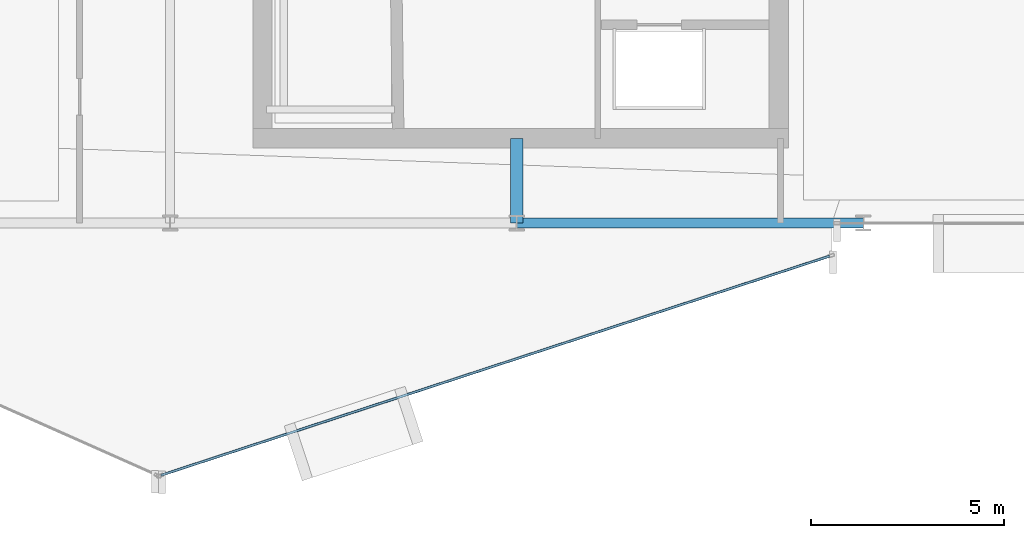
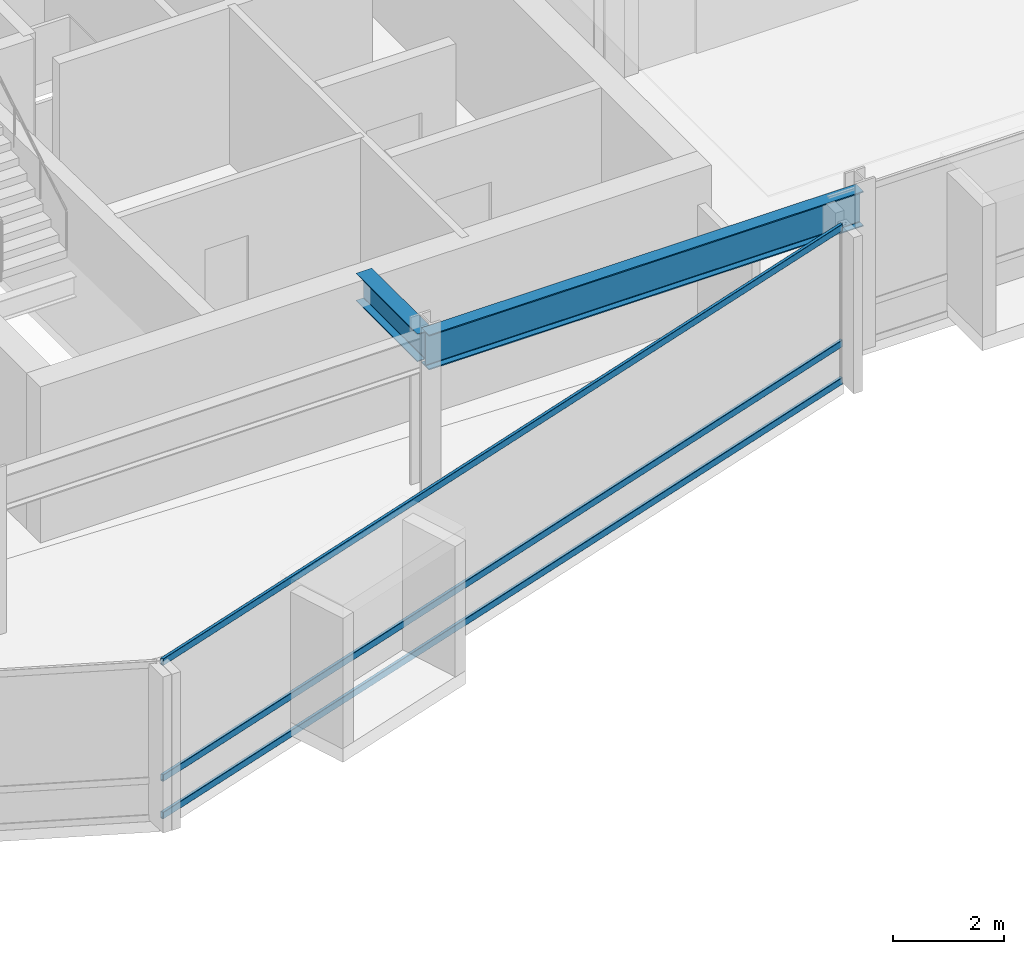
# One storey, part 9 of 27: 3 members, 2 beams, 1 element without a shape of its own.
"""IFC4 building model written with IfcOpenShell, lengths in metres."""

from ifc_helpers import new_model, si_unit, direction, frame, origin, origin_2d, place, context, subcontext, project, spatial, hollow_rectangle, i_section, extrude, material, layer, layer_set, material_profile, profile_set, type_object, element, aggregate, save


model = new_model("IFC4")

# Units and contexts
model_context = context("Model", 3, precision=1e-05, world=origin(), true_north=direction((0.0, 1.0)))
body_context = subcontext(model_context, "Body", "Model", "MODEL_VIEW")
ifc_project = project(units=[si_unit("LENGTHUNIT", "METRE"), si_unit("AREAUNIT", "SQUARE_METRE"), si_unit("VOLUMEUNIT", "CUBIC_METRE"), si_unit("PLANEANGLEUNIT", "RADIAN"), si_unit("MASSUNIT", "GRAM", prefix="KILO")], contexts=[model_context])

# Site, building, storey
site_placement = place(None, origin())
site = spatial("IfcSite", under=ifc_project, at=site_placement, CompositionType="ELEMENT")
building_placement = place(site_placement, origin())
building = spatial("IfcBuilding", under=site, at=building_placement, Name="Solvaryn Broadcast Tower", CompositionType="ELEMENT")
storey_placement = place(building_placement, frame((0.0, 0.0, 177.89990234375)))
storey = spatial("IfcBuildingStorey", under=building, at=storey_placement, Name="L44", CompositionType="ELEMENT", Elevation=177.89990234375)

# Beams
ifc_material_1 = material(Name="Steel ASTM A992 Grade 50", Category="steel")
ifc_material_profile_1 = material_profile(ifc_material_1, i_section(OverallWidth=0.323974609375, OverallDepth=0.611083984375, WebThickness=0.0126953125, FlangeThickness=0.01904296875, FilletRadius=0.014892578125, at=origin_2d()))
ifc_profile_set_1 = profile_set([ifc_material_profile_1], Name="Steel ASTM A992 Grade 50")
beam_type_1 = type_object("IfcBeamType", Name="BM-B1-W24X104", PredefinedType="BEAM", material=ifc_profile_set_1)
beam_1_placement = place(storey_placement, frame((36.0, 9.0, 3.114501953125), z_axis=(0.0, 1.0, 0.0), x_axis=(-1.0, 0.0, 0.0)))
element("IfcBeam", 1, at=beam_1_placement, inside=storey, type_object=beam_type_1, Name="L44 Core Tie Beam CTE1", PredefinedType="BEAM", context=body_context, shape_type="SweptSolid", body=[
    extrude(i_section(OverallWidth=0.323974609375, OverallDepth=0.611083984375, WebThickness=0.0126953125, FlangeThickness=0.01904296875, FilletRadius=0.014892578125, at=origin_2d()), origin(), (0.0, 0.0, 1.0), 2.199951171875),
])
ifc_material_2 = material(Name="Steel ASTM A992 Grade 50", Category="steel")
ifc_material_profile_2 = material_profile(ifc_material_2, i_section(OverallWidth=0.26708984375, OverallDepth=0.76611328125, WebThickness=0.014892578125, FlangeThickness=0.023681640625, FilletRadius=0.01806640625, at=origin_2d()))
ifc_profile_set_2 = profile_set([ifc_material_profile_2], Name="Steel ASTM A992 Grade 50")
beam_type_2 = type_object("IfcBeamType", Name="BM-SP2-W30X124", PredefinedType="USERDEFINED", material=ifc_profile_set_2)
beam_2_placement = place(storey_placement, frame((36.0, 9.0, 3.037109375), z_axis=(1.0, 0.0, 0.0), x_axis=(0.0, 1.0, 0.0)))
element("IfcBeam", 2, at=beam_2_placement, inside=storey, type_object=beam_type_2, Name="L44 Spandrel Beam X (36-45 @ Y=9)", ObjectType="SPANDREL", PredefinedType="USERDEFINED", context=body_context, shape_type="SweptSolid", body=[
    extrude(i_section(OverallWidth=0.26708984375, OverallDepth=0.76611328125, WebThickness=0.014892578125, FlangeThickness=0.023681640625, FilletRadius=0.01806640625, at=origin_2d()), origin(), (0.0, 0.0, 1.0), 9.0),
])

# Curtain wall, members
ifc_material_3 = material(Name="Aluminium and Terracotta Unitised Curtain Wall", Category="masonry")
ifc_layer = layer(ifc_material_3, 0.199951171875)
ifc_layer_set = layer_set([ifc_layer], Name="CW-SYS2-LOWMID")
curtain_wall_type = type_object("IfcCurtainWallType", Name="CW-SYS2-LOWMID", PredefinedType="NOTDEFINED", material=ifc_layer_set)
curtain_wall_placement = place(storey_placement, origin())
curtain_wall = element("IfcCurtainWall", 3, at=curtain_wall_placement, inside=storey, type_object=curtain_wall_type, Name="L44 Curtain Wall DR4", PredefinedType="NOTDEFINED")
ifc_material_4 = material(Name="Anodised Aluminium 6063-T6", Category="aluminium")
ifc_material_profile_3 = material_profile(ifc_material_4, hollow_rectangle(XDim=0.06494140625, YDim=0.14990234375, WallThickness=0.00390625, InnerFilletRadius=0.00390625, OuterFilletRadius=0.008056640625, at=origin_2d()))
ifc_profile_set_3 = profile_set([ifc_material_profile_3], Name="Anodised Aluminium 6063-T6")
member_type = type_object("IfcMemberType", Name="CW-TRN-150", PredefinedType="USERDEFINED", material=ifc_profile_set_3)
member_1_placement = place(storey_placement, frame((26.762939453125, 2.45166015625, 0.030029296875), z_axis=(0.950227141586, 0.311557987209, 0.0), x_axis=(-0.311557987209, 0.950227141586, 0.0)))
member_1 = element("IfcMember", 4, at=member_1_placement, type_object=member_type, Name="CWS2 transom 1.1", ObjectType="TRANSOM", PredefinedType="USERDEFINED", context=body_context, shape_type="SweptSolid", body=[
    extrude(hollow_rectangle(XDim=0.06494140625, YDim=0.14990234375, WallThickness=0.00390625, InnerFilletRadius=0.00390625, OuterFilletRadius=0.008056640625, at=origin_2d()), origin(), (0.0, 0.0, 1.0), 18.271484375),
])
member_2_placement = place(storey_placement, frame((26.762939453125, 2.45166015625, 0.85009765625), z_axis=(0.950227141586, 0.311557987209, 0.0), x_axis=(-0.311557987209, 0.950227141586, 0.0)))
member_2 = element("IfcMember", 5, at=member_2_placement, type_object=member_type, Name="CWS2 transom 1.2", ObjectType="TRANSOM", PredefinedType="USERDEFINED", context=body_context, shape_type="SweptSolid", body=[
    extrude(hollow_rectangle(XDim=0.06494140625, YDim=0.14990234375, WallThickness=0.00390625, InnerFilletRadius=0.00390625, OuterFilletRadius=0.008056640625, at=origin_2d()), origin(), (0.0, 0.0, 1.0), 18.271484375),
])
member_3_placement = place(storey_placement, frame((26.762939453125, 2.45166015625, 3.39013671875), z_axis=(0.950227141586, 0.311557987209, 0.0), x_axis=(-0.311557987209, 0.950227141586, 0.0)))
member_3 = element("IfcMember", 6, at=member_3_placement, type_object=member_type, Name="CWS2 transom 1.3", ObjectType="TRANSOM", PredefinedType="USERDEFINED", context=body_context, shape_type="SweptSolid", body=[
    extrude(hollow_rectangle(XDim=0.06494140625, YDim=0.14990234375, WallThickness=0.00390625, InnerFilletRadius=0.00390625, OuterFilletRadius=0.008056640625, at=origin_2d()), origin(), (0.0, 0.0, 1.0), 18.271484375),
])
aggregate(curtain_wall, [member_1, member_2, member_3])

save(model, "model.ifc")
